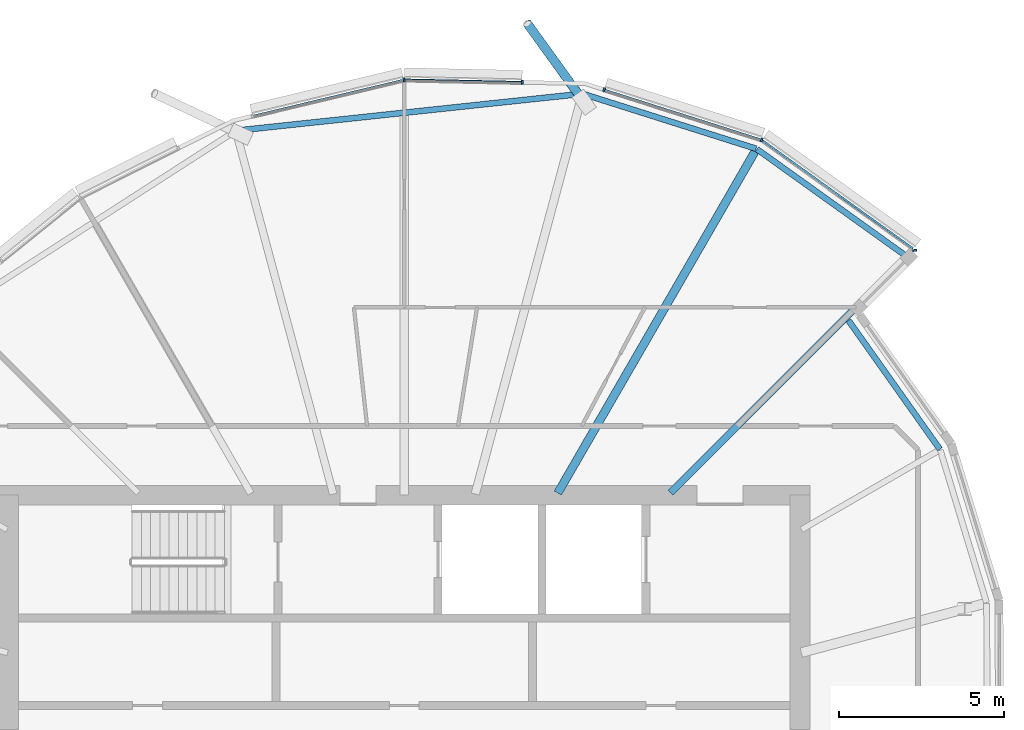
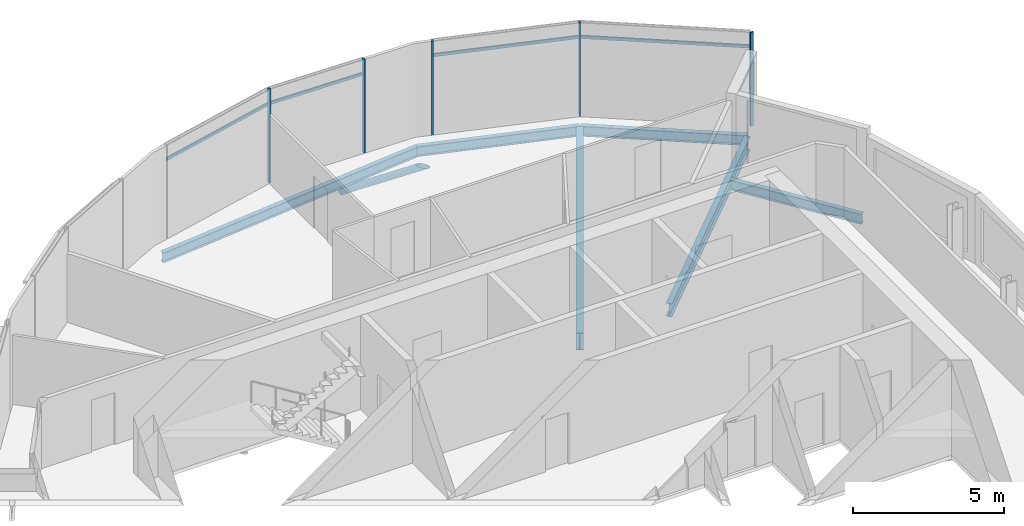
# One storey, part 17 of 36: 10 members, 6 beams, 1 element without a shape of its own.
"""IFC4 building model written with IfcOpenShell, lengths in metres."""

from ifc_helpers import new_model, si_unit, direction, frame, origin, origin_2d, place, context, subcontext, project, spatial, rectangle, hollow_circle, i_section, extrude, clip, halfspace, material, material_profile, profile_set, type_object, element, aggregate, save


model = new_model("IFC4")

# Units and contexts
model_context = context("Model", 3, precision=1e-05, world=origin(), true_north=direction((0.0, 1.0)))
body_context = subcontext(model_context, "Body", "Model", "MODEL_VIEW")
ifc_project = project(units=[si_unit("LENGTHUNIT", "METRE"), si_unit("AREAUNIT", "SQUARE_METRE"), si_unit("VOLUMEUNIT", "CUBIC_METRE"), si_unit("PLANEANGLEUNIT", "RADIAN"), si_unit("MASSUNIT", "GRAM", prefix="KILO")], contexts=[model_context])

# Site, building, storey
site_placement = place(None, origin())
site = spatial("IfcSite", under=ifc_project, at=site_placement, CompositionType="ELEMENT")
building_placement = place(site_placement, origin())
building = spatial("IfcBuilding", under=site, at=building_placement, Name="Rimbun Link Towers", CompositionType="ELEMENT")
storey_placement = place(building_placement, frame((0.0, 0.0, 189.300048828125)))
storey = spatial("IfcBuildingStorey", under=building, at=storey_placement, Name="L46", CompositionType="ELEMENT", Elevation=189.300048828125)

# Curtain wall, members
ifc_material_1 = material(Name="Aluminium 6063-T6 and low-iron glass", Category="aluminium")
curtain_wall_type = type_object("IfcCurtainWallType", Name="CW1-Z3 unitised vision wall (zone 3)", PredefinedType="NOTDEFINED", material=ifc_material_1)
curtain_wall_placement = place(storey_placement, origin())
curtain_wall = element("IfcCurtainWall", 1, at=curtain_wall_placement, inside=storey, type_object=curtain_wall_type, Name="CW1 L46 T2", PredefinedType="NOTDEFINED")
ifc_material_2 = material(Name="Aluminium 6063-T6", Category="aluminium")
ifc_material_profile_1 = material_profile(ifc_material_2, rectangle(XDim=0.1201171875, YDim=0.06005859375, at=origin_2d()), Name="MULLION 60X120")
ifc_profile_set_1 = profile_set([ifc_material_profile_1], Name="Aluminium 6063-T6")
member_type_1 = type_object("IfcMemberType", Name="CW1 mullion 60X120", PredefinedType="MULLION", material=ifc_profile_set_1)
member_1_placement = place(storey_placement, frame((42.585693359375, 18.775146484375, 0.0), z_axis=(0.0, 0.0, 1.0), x_axis=(0.448570265211, 0.893747569042, 0.0)))
member_1 = element("IfcMember", 2, at=member_1_placement, type_object=member_type_1, Name="CW1 mullion", PredefinedType="MULLION", context=body_context, shape_type="SweptSolid", body=[
    extrude(rectangle(XDim=0.1201171875, YDim=0.06005859375, at=origin_2d()), origin(), (0.0, 0.0, 1.0), 3.800048828125),
])
member_2_placement = place(storey_placement, frame((47.225341796875, 15.42041015625, 0.0), z_axis=(0.0, 0.0, 1.0), x_axis=(0.996682210404, 0.081391470465, 0.0)))
member_2 = element("IfcMember", 3, at=member_2_placement, type_object=member_type_1, Name="CW1 mullion", PredefinedType="MULLION", context=body_context, shape_type="SweptSolid", body=[
    extrude(rectangle(XDim=0.1201171875, YDim=0.06005859375, at=origin_2d()), origin(), (0.0, 0.0, 1.0), 3.800048828125),
])
member_3_placement = place(storey_placement, frame((37.811279296875, 20.294189453125, 0.0), z_axis=(0.0, 0.0, 1.0), x_axis=(0.303053318374, 0.95297360206, 0.0)))
member_3 = element("IfcMember", 4, at=member_3_placement, type_object=member_type_1, Name="CW1 mullion", PredefinedType="MULLION", context=body_context, shape_type="SweptSolid", body=[
    extrude(rectangle(XDim=0.1201171875, YDim=0.06005859375, at=origin_2d()), origin(), (0.0, 0.0, 1.0), 3.800048828125),
])
member_4_placement = place(storey_placement, frame((31.74365234375, 20.59375, 0.0), z_axis=(0.0, 0.0, 1.0), x_axis=(-0.10663447407, 0.99429828972, 0.0)))
member_4 = element("IfcMember", 5, at=member_4_placement, type_object=member_type_1, Name="CW1 mullion", PredefinedType="MULLION", context=body_context, shape_type="SweptSolid", body=[
    extrude(rectangle(XDim=0.1201171875, YDim=0.06005859375, at=origin_2d()), origin(), (0.0, 0.0, 1.0), 3.800048828125),
])
member_5_placement = place(storey_placement, frame((35.322998046875, 20.518798828125, 0.0), z_axis=(0.0, 0.0, 1.0), x_axis=(0.02106930936, 0.999778017463, 0.0)))
member_5 = element("IfcMember", 6, at=member_5_placement, type_object=member_type_1, Name="CW1 mullion", PredefinedType="MULLION", context=body_context, shape_type="SweptSolid", body=[
    extrude(rectangle(XDim=0.1201171875, YDim=0.06005859375, at=origin_2d()), origin(), (0.0, 0.0, 1.0), 3.800048828125),
])
ifc_material_3 = material(Name="Aluminium 6063-T6", Category="aluminium")
ifc_material_profile_2 = material_profile(ifc_material_3, rectangle(XDim=0.06005859375, YDim=0.1201171875, at=origin_2d()), Name="TRANSOM 60X120")
ifc_profile_set_2 = profile_set([ifc_material_profile_2], Name="Aluminium 6063-T6")
member_type_2 = type_object("IfcMemberType", Name="CW1 transom 60X120", PredefinedType="USERDEFINED", material=ifc_profile_set_2)
member_6_placement = place(storey_placement, frame((42.616943359375, 18.7509765625, 3.199951171875), z_axis=(0.812470137953, -0.583002808685, 0.0), x_axis=(0.583002808685, 0.812470137953, 0.0)))
member_6 = element("IfcMember", 7, at=member_6_placement, type_object=member_type_2, Name="CW1 transom", ObjectType="TRANSOM", PredefinedType="USERDEFINED", context=body_context, shape_type="SweptSolid", body=[
    extrude(rectangle(XDim=0.06005859375, YDim=0.1201171875, at=origin_2d()), origin(), (0.0, 0.0, 1.0), 5.610107421875),
])
member_7_placement = place(storey_placement, frame((37.839111328125, 20.283203125, 3.199951171875), z_axis=(0.952965355293, -0.303079249721, 0.0), x_axis=(0.303079249721, 0.952965355293, 0.0)))
member_7 = element("IfcMember", 8, at=member_7_placement, type_object=member_type_2, Name="CW1 transom", ObjectType="TRANSOM", PredefinedType="USERDEFINED", context=body_context, shape_type="SweptSolid", body=[
    extrude(rectangle(XDim=0.06005859375, YDim=0.1201171875, at=origin_2d()), origin(), (0.0, 0.0, 1.0), 4.941162109375),
])
member_8_placement = place(storey_placement, frame((31.78125, 20.591552734375, 3.199951171875), z_axis=(0.999776739259, -0.021129875468, 0.0), x_axis=(0.021129875468, 0.999776739259, 0.0)))
member_8 = element("IfcMember", 9, at=member_8_placement, type_object=member_type_2, Name="CW1 transom", ObjectType="TRANSOM", PredefinedType="USERDEFINED", context=body_context, shape_type="SweptSolid", body=[
    extrude(rectangle(XDim=0.06005859375, YDim=0.1201171875, at=origin_2d()), origin(), (0.0, 0.0, 1.0), 3.512451171875),
])
member_9_placement = place(storey_placement, frame((27.178466796875, 19.50048828125, 3.199951171875), z_axis=(0.972577344747, 0.232579682011, 0.0), x_axis=(-0.232579682011, 0.972577344747, 0.0)))
member_9 = element("IfcMember", 10, at=member_9_placement, type_object=member_type_2, Name="CW1 transom", ObjectType="TRANSOM", PredefinedType="USERDEFINED", context=body_context, shape_type="SweptSolid", body=[
    extrude(rectangle(XDim=0.06005859375, YDim=0.1201171875, at=origin_2d()), origin(), (0.0, 0.0, 1.0), 4.656494140625),
])
aggregate(curtain_wall, [member_1, member_2, member_3, member_4, member_5, member_6, member_7, member_8, member_9])

# Member
ifc_material_4 = material(Name="Steel S355J2H", Category="steel")
ifc_material_profile_3 = material_profile(ifc_material_4, hollow_circle(Radius=0.136474609375, WallThickness=0.012451171875, at=origin_2d()), Name="CHS 273x12.5")
ifc_profile_set_3 = profile_set([ifc_material_profile_3], Name="Steel S355J2H")
member_type_3 = type_object("IfcMemberType", Name="Floor edge link CHS 273x12.5", PredefinedType="BRACE", material=ifc_profile_set_3)
member_10_placement = place(storey_placement, frame((37.118408203125, 20.034912109375, -0.94921875), z_axis=(-0.49611355587, 0.686943491238, -0.531017871194), x_axis=(-0.810686117522, -0.585481014942, 0.0)))
element("IfcMember", 11, at=member_10_placement, inside=storey, type_object=member_type_3, Name="Floor edge link T2 L46 02", PredefinedType="BRACE", context=body_context, shape_type="Clipping", body=[
    clip(extrude(hollow_circle(Radius=0.136474609375, WallThickness=0.012451171875, at=origin_2d()), frame((0.0, 0.0, -0.45458984375)), (0.0, 0.0, 1.0), 3.762939453125), halfspace(frame((0.0, 0.0, -0.214111328125), z_axis=(0.0, 0.847360620086, -0.531017871194)), False)),
])

# Beams
ifc_material_5 = material(Name="Steel S355J2", Category="steel")
ifc_material_profile_4 = material_profile(ifc_material_5, i_section(OverallWidth=0.177978515625, OverallDepth=0.406494140625, WebThickness=0.0078125, FlangeThickness=0.0126953125, at=origin_2d()), Name="UB 406x178x60")
ifc_profile_set_4 = profile_set([ifc_material_profile_4], Name="Steel S355J2")
beam_type_1 = type_object("IfcBeamType", Name="UB 406x178x60", PredefinedType="BEAM", material=ifc_profile_set_4)
beam_1_placement = place(storey_placement, frame((46.985595703125, 15.237060546875, -0.353271484375), z_axis=(-0.812947439781, 0.582337067473, 0.0), x_axis=(-0.582337067473, -0.812947439781, 0.0)))
element("IfcBeam", 12, at=beam_1_placement, inside=storey, type_object=beam_type_1, Name="Edge beam T2 L46 00", PredefinedType="BEAM", context=body_context, shape_type="SweptSolid", body=[
    extrude(i_section(OverallWidth=0.177978515625, OverallDepth=0.406494140625, WebThickness=0.0078125, FlangeThickness=0.0126953125, at=origin_2d()), origin(), (0.0, 0.0, 1.0), 5.587646484375),
])
beam_2_placement = place(storey_placement, frame((42.41650390625, 18.50439453125, -0.353271484375), z_axis=(-0.953365778591, 0.301817315957, 0.0), x_axis=(-0.301817315957, -0.953365778591, 0.0)))
element("IfcBeam", 13, at=beam_2_placement, inside=storey, type_object=beam_type_1, Name="Edge beam T2 L46 01", PredefinedType="BEAM", context=body_context, shape_type="SweptSolid", body=[
    extrude(i_section(OverallWidth=0.177978515625, OverallDepth=0.406494140625, WebThickness=0.0078125, FlangeThickness=0.0126953125, at=origin_2d()), origin(), (0.0, 0.0, 1.0), 5.518310546875),
])
beam_3_placement = place(storey_placement, frame((37.153564453125, 20.169921875, -0.353271484375), z_axis=(-0.994377876198, -0.105889750818, 0.0), x_axis=(0.105889750818, -0.994377876198, 0.0)))
element("IfcBeam", 14, at=beam_3_placement, inside=storey, type_object=beam_type_1, Name="Edge beam T2 L46 02-04", PredefinedType="BEAM", context=body_context, shape_type="SweptSolid", body=[
    extrude(i_section(OverallWidth=0.177978515625, OverallDepth=0.406494140625, WebThickness=0.0078125, FlangeThickness=0.0126953125, at=origin_2d()), origin(), (0.0, 0.0, 1.0), 10.451416015625),
])
beam_4_placement = place(storey_placement, frame((47.988525390625, 9.39306640625, -0.353271484375), z_axis=(-0.578533655818, 0.815658512544, 0.0), x_axis=(-0.815658512544, -0.578533655818, 0.0)))
element("IfcBeam", 15, at=beam_4_placement, inside=storey, type_object=beam_type_1, Name="Edge beam T2 L46 23 recess", PredefinedType="BEAM", context=body_context, shape_type="SweptSolid", body=[
    extrude(i_section(OverallWidth=0.177978515625, OverallDepth=0.406494140625, WebThickness=0.0078125, FlangeThickness=0.0126953125, at=origin_2d()), origin(), (0.0, 0.0, 1.0), 4.78759765625),
])
ifc_material_6 = material(Name="Steel S355J2", Category="steel")
ifc_material_profile_5 = material_profile(ifc_material_6, i_section(OverallWidth=0.209228515625, OverallDepth=0.533203125, WebThickness=0.010009765625, FlangeThickness=0.015625, at=origin_2d()), Name="UB 533x210x92")
ifc_profile_set_5 = profile_set([ifc_material_profile_5], Name="Steel S355J2")
beam_type_2 = type_object("IfcBeamType", Name="UB 533x210x92", PredefinedType="BEAM", material=ifc_profile_set_5)
beam_5_placement = place(storey_placement, frame((39.82470703125, 8.07470703125, -0.41650390625), z_axis=(0.707106781187, 0.707106781187, 0.0), x_axis=(-0.707106781187, 0.707106781187, 0.0)))
element("IfcBeam", 16, at=beam_5_placement, inside=storey, type_object=beam_type_2, Name="Radial beam T2 L46 00", PredefinedType="BEAM", context=body_context, shape_type="SweptSolid", body=[
    extrude(i_section(OverallWidth=0.209228515625, OverallDepth=0.533203125, WebThickness=0.010009765625, FlangeThickness=0.015625, at=origin_2d()), origin(), (0.0, 0.0, 1.0), 10.037353515625),
])
ifc_material_7 = material(Name="Steel S355J2", Category="steel")
ifc_material_profile_6 = material_profile(ifc_material_7, i_section(OverallWidth=0.253662109375, OverallDepth=0.68359375, WebThickness=0.012451171875, FlangeThickness=0.01904296875, at=origin_2d()), Name="UB 686x254x140")
ifc_profile_set_6 = profile_set([ifc_material_profile_6], Name="Steel S355J2")
beam_type_3 = type_object("IfcBeamType", Name="UB 686x254x140", PredefinedType="BEAM", material=ifc_profile_set_6)
beam_6_placement = place(storey_placement, frame((36.406005859375, 8.064208984375, -0.49169921875), z_axis=(0.499992225123, 0.866029892565, 0.0), x_axis=(-0.866029892565, 0.499992225123, 0.0)))
element("IfcBeam", 17, at=beam_6_placement, inside=storey, type_object=beam_type_3, Name="Radial beam T2 L46 01", PredefinedType="BEAM", context=body_context, shape_type="SweptSolid", body=[
    extrude(i_section(OverallWidth=0.253662109375, OverallDepth=0.68359375, WebThickness=0.012451171875, FlangeThickness=0.01904296875, at=origin_2d()), origin(), (0.0, 0.0, 1.0), 11.959716796875),
])

save(model, "model.ifc")
